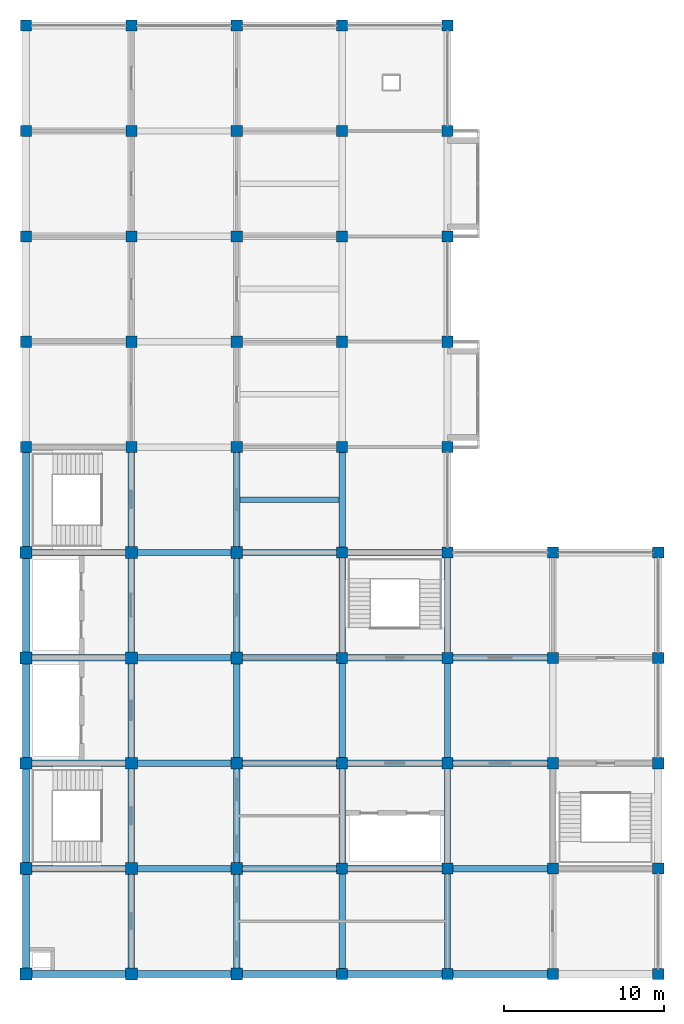
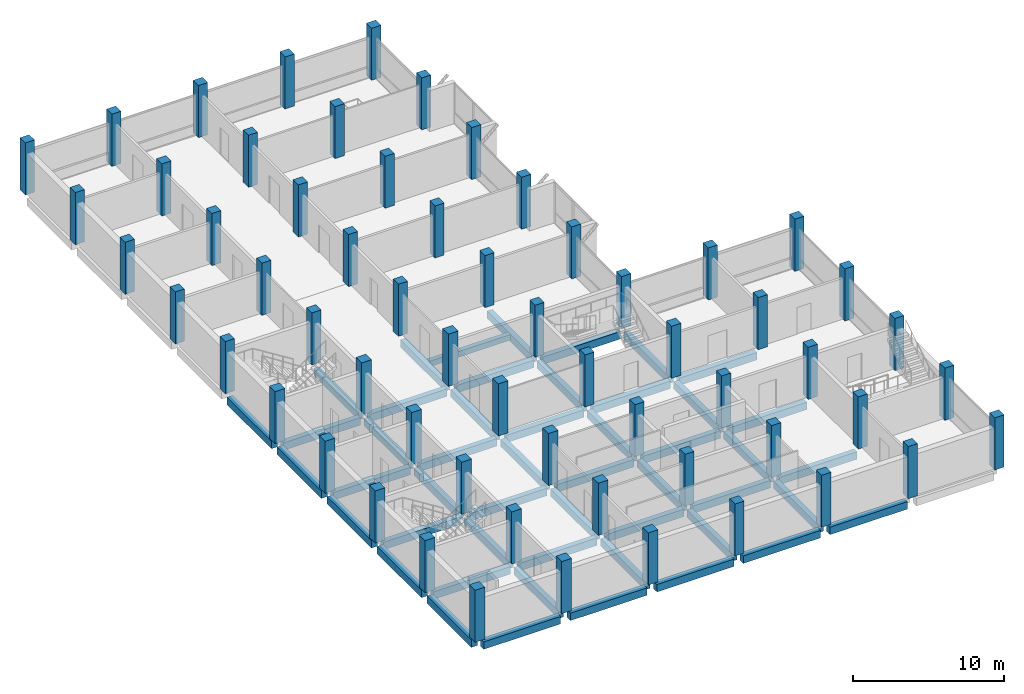
# One storey, part 1 of 10: 60 columns, 49 beams.
"""IFC4 building model written with IfcOpenShell, lengths in metres."""

from ifc_helpers import new_model, si_unit, direction, frame, origin, origin_2d, place, context, subcontext, project, spatial, rectangle, extrude, material, material_profile, profile_set, type_object, element, save


model = new_model("IFC4")

# Units and contexts
model_context = context("Model", 3, precision=1e-05, world=origin(), true_north=direction((0.0, 1.0)))
body_context = subcontext(model_context, "Body", "Model", "MODEL_VIEW")
ifc_project = project(units=[si_unit("LENGTHUNIT", "METRE"), si_unit("AREAUNIT", "SQUARE_METRE"), si_unit("VOLUMEUNIT", "CUBIC_METRE"), si_unit("PLANEANGLEUNIT", "RADIAN"), si_unit("MASSUNIT", "GRAM", prefix="KILO")], contexts=[model_context])

# Site, building, storey
site_placement = place(None, origin())
site = spatial("IfcSite", under=ifc_project, at=site_placement, CompositionType="ELEMENT")
building_placement = place(site_placement, origin())
building = spatial("IfcBuilding", under=site, at=building_placement, Name="Rusizi Kubbe Research Institute", CompositionType="ELEMENT")
storey_placement = place(building_placement, frame((0.0, 0.0, 48.0)))
storey = spatial("IfcBuildingStorey", under=building, at=storey_placement, Name="L11", CompositionType="ELEMENT", Elevation=48.0)

# Columns
ifc_material_1 = material(Name="Concrete C40/50", Category="concrete")
ifc_material_profile_1 = material_profile(ifc_material_1, rectangle(XDim=0.699951171875, YDim=0.699951171875, at=origin_2d()), Name="RC700x700")
ifc_profile_set_1 = profile_set([ifc_material_profile_1], Name="Concrete C40/50")
column_type_1 = type_object("IfcColumnType", Name="COL-700", PredefinedType="COLUMN", material=ifc_profile_set_1)
for number, where, z_axis, x_axis, name in (
    (1, (0.0, 33.0, 0.0), (0.0, 0.0, 1.0), (1.0, 0.0, 0.0), "Column 1F L11"),
    (2, (0.0, 39.60009765625, 0.0), (0.0, 0.0, 1.0), (1.0, 0.0, 0.0), "Column 1G L11"),
    (3, (0.0, 46.199951171875, 0.0), (0.0, 0.0, 1.0), (1.0, 0.0, 0.0), "Column 1H L11"),
    (4, (0.0, 52.800048828125, 0.0), (0.0, 0.0, 1.0), (1.0, 0.0, 0.0), "Column 1J L11"),
    (5, (0.0, 59.39990234375, 0.0), (0.0, 0.0, 1.0), (1.0, 0.0, 0.0), "Column 1K L11"),
    (6, (6.60009765625, 33.0, 0.0), (0.0, 0.0, 1.0), (1.0, 0.0, 0.0), "Column 2F L11"),
    (7, (6.60009765625, 39.60009765625, 0.0), (0.0, 0.0, 1.0), (1.0, 0.0, 0.0), "Column 2G L11"),
    (8, (6.60009765625, 46.199951171875, 0.0), (0.0, 0.0, 1.0), (1.0, 0.0, 0.0), "Column 2H L11"),
    (9, (6.60009765625, 52.800048828125, 0.0), (0.0, 0.0, 1.0), (1.0, 0.0, 0.0), "Column 2J L11"),
    (10, (6.60009765625, 59.39990234375, 0.0), (0.0, 0.0, 1.0), (1.0, 0.0, 0.0), "Column 2K L11"),
    (11, (13.199951171875, 33.0, 0.0), (0.0, 0.0, 1.0), (1.0, 0.0, 0.0), "Column 3F L11"),
    (12, (13.199951171875, 39.60009765625, 0.0), (0.0, 0.0, 1.0), (1.0, 0.0, 0.0), "Column 3G L11"),
    (13, (13.199951171875, 46.199951171875, 0.0), (0.0, 0.0, 1.0), (1.0, 0.0, 0.0), "Column 3H L11"),
    (14, (13.199951171875, 52.800048828125, 0.0), (0.0, 0.0, 1.0), (1.0, 0.0, 0.0), "Column 3J L11"),
    (15, (13.199951171875, 59.39990234375, 0.0), (0.0, 0.0, 1.0), (1.0, 0.0, 0.0), "Column 3K L11"),
    (16, (19.800048828125, 0.0, 0.0), (0.0, 0.0, 1.0), (1.0, 0.0, 0.0), "Column 4A L11"),
    (17, (19.800048828125, 6.60009765625, 0.0), (0.0, 0.0, 1.0), (1.0, 0.0, 0.0), "Column 4B L11"),
    (18, (19.800048828125, 13.199951171875, 0.0), (0.0, 0.0, 1.0), (1.0, 0.0, 0.0), "Column 4C L11"),
    (19, (19.800048828125, 19.800048828125, 0.0), (0.0, 0.0, 1.0), (1.0, 0.0, 0.0), "Column 4D L11"),
    (20, (19.800048828125, 26.39990234375, 0.0), (0.0, 0.0, 1.0), (1.0, 0.0, 0.0), "Column 4E L11"),
    (21, (19.800048828125, 33.0, 0.0), (0.0, 0.0, 1.0), (1.0, 0.0, 0.0), "Column 4F L11"),
    (22, (19.800048828125, 39.60009765625, 0.0), (0.0, 0.0, 1.0), (1.0, 0.0, 0.0), "Column 4G L11"),
    (23, (19.800048828125, 46.199951171875, 0.0), (0.0, 0.0, 1.0), (1.0, 0.0, 0.0), "Column 4H L11"),
    (24, (19.800048828125, 52.800048828125, 0.0), (0.0, 0.0, 1.0), (1.0, 0.0, 0.0), "Column 4J L11"),
    (25, (19.800048828125, 59.39990234375, 0.0), (0.0, 0.0, 1.0), (1.0, 0.0, 0.0), "Column 4K L11"),
    (26, (26.39990234375, 0.0, 0.0), (0.0, 0.0, 1.0), (1.0, 0.0, 0.0), "Column 5A L11"),
    (27, (26.39990234375, 6.60009765625, 0.0), (0.0, 0.0, 1.0), (1.0, 0.0, 0.0), "Column 5B L11"),
    (28, (26.39990234375, 13.199951171875, 0.0), (0.0, 0.0, 1.0), (1.0, 0.0, 0.0), "Column 5C L11"),
    (29, (26.39990234375, 19.800048828125, 0.0), (0.0, 0.0, 1.0), (1.0, 0.0, 0.0), "Column 5D L11"),
    (30, (26.39990234375, 26.39990234375, 0.0), (0.0, 0.0, 1.0), (1.0, 0.0, 0.0), "Column 5E L11"),
    (31, (26.39990234375, 33.0, 0.0), (0.0, 0.0, 1.0), (1.0, 0.0, 0.0), "Column 5F L11"),
    (32, (26.39990234375, 39.60009765625, 0.0), (0.0, 0.0, 1.0), (1.0, 0.0, 0.0), "Column 5G L11"),
    (33, (26.39990234375, 46.199951171875, 0.0), (0.0, 0.0, 1.0), (1.0, 0.0, 0.0), "Column 5H L11"),
    (34, (26.39990234375, 52.800048828125, 0.0), (0.0, 0.0, 1.0), (1.0, 0.0, 0.0), "Column 5J L11"),
    (35, (26.39990234375, 59.39990234375, 0.0), (0.0, 0.0, 1.0), (1.0, 0.0, 0.0), "Column 5K L11"),
    (36, (33.0, 0.0, 0.0), (0.0, 0.0, 1.0), (1.0, 0.0, 0.0), "Column 6A L11"),
    (37, (33.0, 6.60009765625, 0.0), (0.0, 0.0, 1.0), (1.0, 0.0, 0.0), "Column 6B L11"),
    (38, (33.0, 13.199951171875, 0.0), (0.0, 0.0, 1.0), (1.0, 0.0, 0.0), "Column 6C L11"),
    (39, (33.0, 19.800048828125, 0.0), (0.0, 0.0, 1.0), (1.0, 0.0, 0.0), "Column 6D L11"),
    (40, (33.0, 26.39990234375, 0.0), (0.0, 0.0, 1.0), (1.0, 0.0, 0.0), "Column 6E L11"),
    (41, (39.60009765625, 0.0, 0.0), (0.0, 0.0, 1.0), (1.0, 0.0, 0.0), "Column 7A L11"),
    (42, (39.60009765625, 6.60009765625, 0.0), (0.0, 0.0, 1.0), (1.0, 0.0, 0.0), "Column 7B L11"),
    (43, (39.60009765625, 13.199951171875, 0.0), (0.0, 0.0, 1.0), (1.0, 0.0, 0.0), "Column 7C L11"),
    (44, (39.60009765625, 19.800048828125, 0.0), (0.0, 0.0, 1.0), (1.0, 0.0, 0.0), "Column 7D L11"),
    (45, (39.60009765625, 26.39990234375, 0.0), (0.0, 0.0, 1.0), (1.0, 0.0, 0.0), "Column 7E L11"),
):
    element("IfcColumn", number, at=place(storey_placement, frame(where, z_axis=z_axis, x_axis=x_axis)), inside=storey, type_object=column_type_1, Name=name, PredefinedType="COLUMN", context=body_context, shape_type="SweptSolid", body=[
        extrude(rectangle(XDim=0.699951171875, YDim=0.699951171875, at=origin_2d()), origin(), (0.0, 0.0, 1.0), 4.199951171875),
    ])
ifc_material_2 = material(Name="Concrete C40/50", Category="concrete")
ifc_material_profile_2 = material_profile(ifc_material_2, rectangle(XDim=0.75, YDim=0.75, at=origin_2d()), Name="RC750x750")
ifc_profile_set_2 = profile_set([ifc_material_profile_2], Name="Concrete C40/50")
column_type_2 = type_object("IfcColumnType", Name="COL-750", PredefinedType="COLUMN", material=ifc_profile_set_2)
for number, where, z_axis, x_axis, name in (
    (46, (0.0, 0.0, 0.0), (0.0, 0.0, 1.0), (1.0, 0.0, 0.0), "Column 1A L11"),
    (47, (0.0, 6.60009765625, 0.0), (0.0, 0.0, 1.0), (1.0, 0.0, 0.0), "Column 1B L11"),
    (48, (0.0, 13.199951171875, 0.0), (0.0, 0.0, 1.0), (1.0, 0.0, 0.0), "Column 1C L11"),
    (49, (0.0, 19.800048828125, 0.0), (0.0, 0.0, 1.0), (1.0, 0.0, 0.0), "Column 1D L11"),
    (50, (0.0, 26.39990234375, 0.0), (0.0, 0.0, 1.0), (1.0, 0.0, 0.0), "Column 1E L11"),
    (51, (6.60009765625, 0.0, 0.0), (0.0, 0.0, 1.0), (1.0, 0.0, 0.0), "Column 2A L11"),
    (52, (6.60009765625, 6.60009765625, 0.0), (0.0, 0.0, 1.0), (1.0, 0.0, 0.0), "Column 2B L11"),
    (53, (6.60009765625, 13.199951171875, 0.0), (0.0, 0.0, 1.0), (1.0, 0.0, 0.0), "Column 2C L11"),
    (54, (6.60009765625, 19.800048828125, 0.0), (0.0, 0.0, 1.0), (1.0, 0.0, 0.0), "Column 2D L11"),
    (55, (6.60009765625, 26.39990234375, 0.0), (0.0, 0.0, 1.0), (1.0, 0.0, 0.0), "Column 2E L11"),
    (56, (13.199951171875, 0.0, 0.0), (0.0, 0.0, 1.0), (1.0, 0.0, 0.0), "Column 3A L11"),
    (57, (13.199951171875, 6.60009765625, 0.0), (0.0, 0.0, 1.0), (1.0, 0.0, 0.0), "Column 3B L11"),
    (58, (13.199951171875, 13.199951171875, 0.0), (0.0, 0.0, 1.0), (1.0, 0.0, 0.0), "Column 3C L11"),
    (59, (13.199951171875, 19.800048828125, 0.0), (0.0, 0.0, 1.0), (1.0, 0.0, 0.0), "Column 3D L11"),
    (60, (13.199951171875, 26.39990234375, 0.0), (0.0, 0.0, 1.0), (1.0, 0.0, 0.0), "Column 3E L11"),
):
    element("IfcColumn", number, at=place(storey_placement, frame(where, z_axis=z_axis, x_axis=x_axis)), inside=storey, type_object=column_type_2, Name=name, PredefinedType="COLUMN", context=body_context, shape_type="SweptSolid", body=[
        extrude(rectangle(XDim=0.75, YDim=0.75, at=origin_2d()), origin(), (0.0, 0.0, 1.0), 4.199951171875),
    ])

# Beams
ifc_material_3 = material(Name="Concrete C40/50", Category="concrete")
ifc_material_profile_3 = material_profile(ifc_material_3, rectangle(XDim=0.35009765625, YDim=0.449951171875, at=origin_2d()), Name="RC350x450")
ifc_profile_set_3 = profile_set([ifc_material_profile_3], Name="Concrete C40/50")
beam_type_1 = type_object("IfcBeamType", Name="BM-RC350x450", PredefinedType="JOIST", material=ifc_profile_set_3)
beam_1_placement = place(storey_placement, frame((13.39990234375, 29.699951171875, -0.534912109375), z_axis=(1.0, 0.0, 0.0), x_axis=(0.0, 1.0, 0.0)))
element("IfcBeam", 61, at=beam_1_placement, inside=storey, type_object=beam_type_1, Name="Lab Stiffener Joist L11 (2,4)", PredefinedType="JOIST", context=body_context, shape_type="SweptSolid", body=[
    extrude(rectangle(XDim=0.35009765625, YDim=0.449951171875, at=origin_2d()), origin(), (0.0, 0.0, 1.0), 6.2001953125),
])
ifc_material_4 = material(Name="Concrete C40/50", Category="concrete")
ifc_material_profile_4 = material_profile(ifc_material_4, rectangle(XDim=0.39990234375, YDim=0.60009765625, at=origin_2d()), Name="RC400x600")
ifc_profile_set_4 = profile_set([ifc_material_profile_4], Name="Concrete C40/50")
beam_type_2 = type_object("IfcBeamType", Name="BM-RC400x600", PredefinedType="BEAM", material=ifc_profile_set_4)
for number, where, z_axis, x_axis, name in (
    (62, (0.375, 6.60009765625, -0.610107421875), (1.0, 0.0, 0.0), (0.0, 1.0, 0.0), "Grid Beam H L11 (0,1)"),
    (63, (0.375, 13.199951171875, -0.610107421875), (1.0, 0.0, 0.0), (0.0, 1.0, 0.0), "Grid Beam H L11 (0,2)"),
    (64, (0.375, 19.800048828125, -0.610107421875), (1.0, 0.0, 0.0), (0.0, 1.0, 0.0), "Grid Beam H L11 (0,3)"),
    (65, (0.375, 26.39990234375, -0.610107421875), (1.0, 0.0, 0.0), (0.0, 1.0, 0.0), "Grid Beam H L11 (0,4)"),
):
    element("IfcBeam", number, at=place(storey_placement, frame(where, z_axis=z_axis, x_axis=x_axis)), inside=storey, type_object=beam_type_2, Name=name, PredefinedType="BEAM", context=body_context, shape_type="SweptSolid", body=[
        extrude(rectangle(XDim=0.39990234375, YDim=0.60009765625, at=origin_2d()), origin(), (0.0, 0.0, 1.0), 5.85009765625),
    ])
for number, where, z_axis, x_axis, name in (
    (66, (6.97509765625, 6.60009765625, -0.610107421875), (1.0, 0.0, 0.0), (0.0, 1.0, 0.0), "Grid Beam H L11 (1,1)"),
    (67, (6.97509765625, 13.199951171875, -0.610107421875), (1.0, 0.0, 0.0), (0.0, 1.0, 0.0), "Grid Beam H L11 (1,2)"),
    (68, (6.97509765625, 19.800048828125, -0.610107421875), (1.0, 0.0, 0.0), (0.0, 1.0, 0.0), "Grid Beam H L11 (1,3)"),
    (69, (6.97509765625, 26.39990234375, -0.610107421875), (1.0, 0.0, 0.0), (0.0, 1.0, 0.0), "Grid Beam H L11 (1,4)"),
):
    element("IfcBeam", number, at=place(storey_placement, frame(where, z_axis=z_axis, x_axis=x_axis)), inside=storey, type_object=beam_type_2, Name=name, PredefinedType="BEAM", context=body_context, shape_type="SweptSolid", body=[
        extrude(rectangle(XDim=0.39990234375, YDim=0.60009765625, at=origin_2d()), origin(), (0.0, 0.0, 1.0), 5.849853515625),
    ])
for number, where, z_axis, x_axis, name in (
    (70, (13.574951171875, 6.60009765625, -0.610107421875), (1.0, 0.0, 0.0), (0.0, 1.0, 0.0), "Grid Beam H L11 (2,1)"),
    (71, (13.574951171875, 13.199951171875, -0.610107421875), (1.0, 0.0, 0.0), (0.0, 1.0, 0.0), "Grid Beam H L11 (2,2)"),
    (72, (13.574951171875, 19.800048828125, -0.610107421875), (1.0, 0.0, 0.0), (0.0, 1.0, 0.0), "Grid Beam H L11 (2,3)"),
    (73, (13.574951171875, 26.39990234375, -0.610107421875), (1.0, 0.0, 0.0), (0.0, 1.0, 0.0), "Grid Beam H L11 (2,4)"),
):
    element("IfcBeam", number, at=place(storey_placement, frame(where, z_axis=z_axis, x_axis=x_axis)), inside=storey, type_object=beam_type_2, Name=name, PredefinedType="BEAM", context=body_context, shape_type="SweptSolid", body=[
        extrude(rectangle(XDim=0.39990234375, YDim=0.60009765625, at=origin_2d()), origin(), (0.0, 0.0, 1.0), 5.875),
    ])
for number, where, z_axis, x_axis, name in (
    (74, (20.14990234375, 6.60009765625, -0.610107421875), (1.0, 0.0, 0.0), (0.0, 1.0, 0.0), "Grid Beam H L11 (3,1)"),
    (75, (20.14990234375, 13.199951171875, -0.610107421875), (1.0, 0.0, 0.0), (0.0, 1.0, 0.0), "Grid Beam H L11 (3,2)"),
    (76, (20.14990234375, 19.800048828125, -0.610107421875), (1.0, 0.0, 0.0), (0.0, 1.0, 0.0), "Grid Beam H L11 (3,3)"),
    (77, (20.14990234375, 26.39990234375, -0.610107421875), (1.0, 0.0, 0.0), (0.0, 1.0, 0.0), "Grid Beam H L11 (3,4)"),
):
    element("IfcBeam", number, at=place(storey_placement, frame(where, z_axis=z_axis, x_axis=x_axis)), inside=storey, type_object=beam_type_2, Name=name, PredefinedType="BEAM", context=body_context, shape_type="SweptSolid", body=[
        extrude(rectangle(XDim=0.39990234375, YDim=0.60009765625, at=origin_2d()), origin(), (0.0, 0.0, 1.0), 5.900146484375),
    ])
for number, where, z_axis, x_axis, name in (
    (78, (26.75, 6.60009765625, -0.610107421875), (1.0, 0.0, 0.0), (0.0, 1.0, 0.0), "Grid Beam H L11 (4,1)"),
    (79, (26.75, 13.199951171875, -0.610107421875), (1.0, 0.0, 0.0), (0.0, 1.0, 0.0), "Grid Beam H L11 (4,2)"),
    (80, (26.75, 19.800048828125, -0.610107421875), (1.0, 0.0, 0.0), (0.0, 1.0, 0.0), "Grid Beam H L11 (4,3)"),
):
    element("IfcBeam", number, at=place(storey_placement, frame(where, z_axis=z_axis, x_axis=x_axis)), inside=storey, type_object=beam_type_2, Name=name, PredefinedType="BEAM", context=body_context, shape_type="SweptSolid", body=[
        extrude(rectangle(XDim=0.39990234375, YDim=0.60009765625, at=origin_2d()), origin(), (0.0, 0.0, 1.0), 5.89990234375),
    ])
beam_2_placement = place(storey_placement, frame((6.60009765625, 0.375, -0.610107421875), z_axis=(0.0, 1.0, 0.0), x_axis=(-1.0, 0.0, 0.0)))
element("IfcBeam", 81, at=beam_2_placement, inside=storey, type_object=beam_type_2, Name="Grid Beam V L11 (1,0)", PredefinedType="BEAM", context=body_context, shape_type="SweptSolid", body=[
    extrude(rectangle(XDim=0.39990234375, YDim=0.60009765625, at=origin_2d()), origin(), (0.0, 0.0, 1.0), 5.85009765625),
])
beam_3_placement = place(storey_placement, frame((6.60009765625, 6.97509765625, -0.610107421875), z_axis=(0.0, 1.0, 0.0), x_axis=(-1.0, 0.0, 0.0)))
element("IfcBeam", 82, at=beam_3_placement, inside=storey, type_object=beam_type_2, Name="Grid Beam V L11 (1,1)", PredefinedType="BEAM", context=body_context, shape_type="SweptSolid", body=[
    extrude(rectangle(XDim=0.39990234375, YDim=0.60009765625, at=origin_2d()), origin(), (0.0, 0.0, 1.0), 5.849853515625),
])
beam_4_placement = place(storey_placement, frame((6.60009765625, 13.574951171875, -0.610107421875), z_axis=(0.0, 1.0, 0.0), x_axis=(-1.0, 0.0, 0.0)))
element("IfcBeam", 83, at=beam_4_placement, inside=storey, type_object=beam_type_2, Name="Grid Beam V L11 (1,2)", PredefinedType="BEAM", context=body_context, shape_type="SweptSolid", body=[
    extrude(rectangle(XDim=0.39990234375, YDim=0.60009765625, at=origin_2d()), origin(), (0.0, 0.0, 1.0), 5.85009765625),
])
beam_5_placement = place(storey_placement, frame((6.60009765625, 20.175048828125, -0.610107421875), z_axis=(0.0, 1.0, 0.0), x_axis=(-1.0, 0.0, 0.0)))
element("IfcBeam", 84, at=beam_5_placement, inside=storey, type_object=beam_type_2, Name="Grid Beam V L11 (1,3)", PredefinedType="BEAM", context=body_context, shape_type="SweptSolid", body=[
    extrude(rectangle(XDim=0.39990234375, YDim=0.60009765625, at=origin_2d()), origin(), (0.0, 0.0, 1.0), 5.849853515625),
])
beam_6_placement = place(storey_placement, frame((6.60009765625, 26.77490234375, -0.610107421875), z_axis=(0.0, 1.0, 0.0), x_axis=(-1.0, 0.0, 0.0)))
element("IfcBeam", 85, at=beam_6_placement, inside=storey, type_object=beam_type_2, Name="Grid Beam V L11 (1,4)", PredefinedType="BEAM", context=body_context, shape_type="SweptSolid", body=[
    extrude(rectangle(XDim=0.39990234375, YDim=0.60009765625, at=origin_2d()), origin(), (0.0, 0.0, 1.0), 5.875),
])
beam_7_placement = place(storey_placement, frame((13.199951171875, 0.375, -0.610107421875), z_axis=(0.0, 1.0, 0.0), x_axis=(-1.0, 0.0, 0.0)))
element("IfcBeam", 86, at=beam_7_placement, inside=storey, type_object=beam_type_2, Name="Grid Beam V L11 (2,0)", PredefinedType="BEAM", context=body_context, shape_type="SweptSolid", body=[
    extrude(rectangle(XDim=0.39990234375, YDim=0.60009765625, at=origin_2d()), origin(), (0.0, 0.0, 1.0), 5.85009765625),
])
beam_8_placement = place(storey_placement, frame((13.199951171875, 6.97509765625, -0.610107421875), z_axis=(0.0, 1.0, 0.0), x_axis=(-1.0, 0.0, 0.0)))
element("IfcBeam", 87, at=beam_8_placement, inside=storey, type_object=beam_type_2, Name="Grid Beam V L11 (2,1)", PredefinedType="BEAM", context=body_context, shape_type="SweptSolid", body=[
    extrude(rectangle(XDim=0.39990234375, YDim=0.60009765625, at=origin_2d()), origin(), (0.0, 0.0, 1.0), 5.849853515625),
])
beam_9_placement = place(storey_placement, frame((13.199951171875, 13.574951171875, -0.610107421875), z_axis=(0.0, 1.0, 0.0), x_axis=(-1.0, 0.0, 0.0)))
element("IfcBeam", 88, at=beam_9_placement, inside=storey, type_object=beam_type_2, Name="Grid Beam V L11 (2,2)", PredefinedType="BEAM", context=body_context, shape_type="SweptSolid", body=[
    extrude(rectangle(XDim=0.39990234375, YDim=0.60009765625, at=origin_2d()), origin(), (0.0, 0.0, 1.0), 5.85009765625),
])
beam_10_placement = place(storey_placement, frame((13.199951171875, 20.175048828125, -0.610107421875), z_axis=(0.0, 1.0, 0.0), x_axis=(-1.0, 0.0, 0.0)))
element("IfcBeam", 89, at=beam_10_placement, inside=storey, type_object=beam_type_2, Name="Grid Beam V L11 (2,3)", PredefinedType="BEAM", context=body_context, shape_type="SweptSolid", body=[
    extrude(rectangle(XDim=0.39990234375, YDim=0.60009765625, at=origin_2d()), origin(), (0.0, 0.0, 1.0), 5.849853515625),
])
beam_11_placement = place(storey_placement, frame((13.199951171875, 26.77490234375, -0.610107421875), z_axis=(0.0, 1.0, 0.0), x_axis=(-1.0, 0.0, 0.0)))
element("IfcBeam", 90, at=beam_11_placement, inside=storey, type_object=beam_type_2, Name="Grid Beam V L11 (2,4)", PredefinedType="BEAM", context=body_context, shape_type="SweptSolid", body=[
    extrude(rectangle(XDim=0.39990234375, YDim=0.60009765625, at=origin_2d()), origin(), (0.0, 0.0, 1.0), 5.875),
])
beam_12_placement = place(storey_placement, frame((19.800048828125, 0.35009765625, -0.610107421875), z_axis=(0.0, 1.0, 0.0), x_axis=(-1.0, 0.0, 0.0)))
element("IfcBeam", 91, at=beam_12_placement, inside=storey, type_object=beam_type_2, Name="Grid Beam V L11 (3,0)", PredefinedType="BEAM", context=body_context, shape_type="SweptSolid", body=[
    extrude(rectangle(XDim=0.39990234375, YDim=0.60009765625, at=origin_2d()), origin(), (0.0, 0.0, 1.0), 5.89990234375),
])
beam_13_placement = place(storey_placement, frame((19.800048828125, 6.949951171875, -0.610107421875), z_axis=(0.0, 1.0, 0.0), x_axis=(-1.0, 0.0, 0.0)))
element("IfcBeam", 92, at=beam_13_placement, inside=storey, type_object=beam_type_2, Name="Grid Beam V L11 (3,1)", PredefinedType="BEAM", context=body_context, shape_type="SweptSolid", body=[
    extrude(rectangle(XDim=0.39990234375, YDim=0.60009765625, at=origin_2d()), origin(), (0.0, 0.0, 1.0), 5.900146484375),
])
beam_14_placement = place(storey_placement, frame((19.800048828125, 13.550048828125, -0.610107421875), z_axis=(0.0, 1.0, 0.0), x_axis=(-1.0, 0.0, 0.0)))
element("IfcBeam", 93, at=beam_14_placement, inside=storey, type_object=beam_type_2, Name="Grid Beam V L11 (3,2)", PredefinedType="BEAM", context=body_context, shape_type="SweptSolid", body=[
    extrude(rectangle(XDim=0.39990234375, YDim=0.60009765625, at=origin_2d()), origin(), (0.0, 0.0, 1.0), 5.89990234375),
])
beam_15_placement = place(storey_placement, frame((19.800048828125, 20.14990234375, -0.610107421875), z_axis=(0.0, 1.0, 0.0), x_axis=(-1.0, 0.0, 0.0)))
element("IfcBeam", 94, at=beam_15_placement, inside=storey, type_object=beam_type_2, Name="Grid Beam V L11 (3,3)", PredefinedType="BEAM", context=body_context, shape_type="SweptSolid", body=[
    extrude(rectangle(XDim=0.39990234375, YDim=0.60009765625, at=origin_2d()), origin(), (0.0, 0.0, 1.0), 5.900146484375),
])
for number, where, z_axis, x_axis, name in (
    (95, (19.800048828125, 26.75, -0.610107421875), (0.0, 1.0, 0.0), (-1.0, 0.0, 0.0), "Grid Beam V L11 (3,4)"),
    (96, (26.39990234375, 0.35009765625, -0.610107421875), (0.0, 1.0, 0.0), (-1.0, 0.0, 0.0), "Grid Beam V L11 (4,0)"),
):
    element("IfcBeam", number, at=place(storey_placement, frame(where, z_axis=z_axis, x_axis=x_axis)), inside=storey, type_object=beam_type_2, Name=name, PredefinedType="BEAM", context=body_context, shape_type="SweptSolid", body=[
        extrude(rectangle(XDim=0.39990234375, YDim=0.60009765625, at=origin_2d()), origin(), (0.0, 0.0, 1.0), 5.89990234375),
    ])
beam_16_placement = place(storey_placement, frame((26.39990234375, 6.949951171875, -0.610107421875), z_axis=(0.0, 1.0, 0.0), x_axis=(-1.0, 0.0, 0.0)))
element("IfcBeam", 97, at=beam_16_placement, inside=storey, type_object=beam_type_2, Name="Grid Beam V L11 (4,1)", PredefinedType="BEAM", context=body_context, shape_type="SweptSolid", body=[
    extrude(rectangle(XDim=0.39990234375, YDim=0.60009765625, at=origin_2d()), origin(), (0.0, 0.0, 1.0), 5.900146484375),
])
beam_17_placement = place(storey_placement, frame((26.39990234375, 13.550048828125, -0.610107421875), z_axis=(0.0, 1.0, 0.0), x_axis=(-1.0, 0.0, 0.0)))
element("IfcBeam", 98, at=beam_17_placement, inside=storey, type_object=beam_type_2, Name="Grid Beam V L11 (4,2)", PredefinedType="BEAM", context=body_context, shape_type="SweptSolid", body=[
    extrude(rectangle(XDim=0.39990234375, YDim=0.60009765625, at=origin_2d()), origin(), (0.0, 0.0, 1.0), 5.89990234375),
])
beam_18_placement = place(storey_placement, frame((26.39990234375, 20.14990234375, -0.610107421875), z_axis=(0.0, 1.0, 0.0), x_axis=(-1.0, 0.0, 0.0)))
element("IfcBeam", 99, at=beam_18_placement, inside=storey, type_object=beam_type_2, Name="Grid Beam V L11 (4,3)", PredefinedType="BEAM", context=body_context, shape_type="SweptSolid", body=[
    extrude(rectangle(XDim=0.39990234375, YDim=0.60009765625, at=origin_2d()), origin(), (0.0, 0.0, 1.0), 5.900146484375),
])
ifc_material_5 = material(Name="Concrete C40/50", Category="concrete")
ifc_material_profile_5 = material_profile(ifc_material_5, rectangle(XDim=0.449951171875, YDim=0.60009765625, at=origin_2d()), Name="RC450x600")
ifc_profile_set_5 = profile_set([ifc_material_profile_5], Name="Concrete C40/50")
beam_type_3 = type_object("IfcBeamType", Name="BM-RC450x600", PredefinedType="SPANDREL", material=ifc_profile_set_5)
beam_19_placement = place(storey_placement, frame((0.375, 0.0, -0.610107421875), z_axis=(1.0, 0.0, 0.0), x_axis=(0.0, 1.0, 0.0)))
element("IfcBeam", 100, at=beam_19_placement, inside=storey, type_object=beam_type_3, Name="Grid Beam H L11 (0,0)", PredefinedType="SPANDREL", context=body_context, shape_type="SweptSolid", body=[
    extrude(rectangle(XDim=0.449951171875, YDim=0.60009765625, at=origin_2d()), origin(), (0.0, 0.0, 1.0), 5.85009765625),
])
beam_20_placement = place(storey_placement, frame((6.97509765625, 0.0, -0.610107421875), z_axis=(1.0, 0.0, 0.0), x_axis=(0.0, 1.0, 0.0)))
element("IfcBeam", 101, at=beam_20_placement, inside=storey, type_object=beam_type_3, Name="Grid Beam H L11 (1,0)", PredefinedType="SPANDREL", context=body_context, shape_type="SweptSolid", body=[
    extrude(rectangle(XDim=0.449951171875, YDim=0.60009765625, at=origin_2d()), origin(), (0.0, 0.0, 1.0), 5.849853515625),
])
beam_21_placement = place(storey_placement, frame((13.574951171875, 0.0, -0.610107421875), z_axis=(1.0, 0.0, 0.0), x_axis=(0.0, 1.0, 0.0)))
element("IfcBeam", 102, at=beam_21_placement, inside=storey, type_object=beam_type_3, Name="Grid Beam H L11 (2,0)", PredefinedType="SPANDREL", context=body_context, shape_type="SweptSolid", body=[
    extrude(rectangle(XDim=0.449951171875, YDim=0.60009765625, at=origin_2d()), origin(), (0.0, 0.0, 1.0), 5.875),
])
beam_22_placement = place(storey_placement, frame((20.14990234375, 0.0, -0.610107421875), z_axis=(1.0, 0.0, 0.0), x_axis=(0.0, 1.0, 0.0)))
element("IfcBeam", 103, at=beam_22_placement, inside=storey, type_object=beam_type_3, Name="Grid Beam H L11 (3,0)", PredefinedType="SPANDREL", context=body_context, shape_type="SweptSolid", body=[
    extrude(rectangle(XDim=0.449951171875, YDim=0.60009765625, at=origin_2d()), origin(), (0.0, 0.0, 1.0), 5.900146484375),
])
beam_23_placement = place(storey_placement, frame((26.75, 0.0, -0.610107421875), z_axis=(1.0, 0.0, 0.0), x_axis=(0.0, 1.0, 0.0)))
element("IfcBeam", 104, at=beam_23_placement, inside=storey, type_object=beam_type_3, Name="Grid Beam H L11 (4,0)", PredefinedType="SPANDREL", context=body_context, shape_type="SweptSolid", body=[
    extrude(rectangle(XDim=0.449951171875, YDim=0.60009765625, at=origin_2d()), origin(), (0.0, 0.0, 1.0), 5.89990234375),
])
beam_24_placement = place(storey_placement, frame((0.0, 0.375, -0.610107421875), z_axis=(0.0, 1.0, 0.0), x_axis=(-1.0, 0.0, 0.0)))
element("IfcBeam", 105, at=beam_24_placement, inside=storey, type_object=beam_type_3, Name="Grid Beam V L11 (0,0)", PredefinedType="SPANDREL", context=body_context, shape_type="SweptSolid", body=[
    extrude(rectangle(XDim=0.449951171875, YDim=0.60009765625, at=origin_2d()), origin(), (0.0, 0.0, 1.0), 5.85009765625),
])
beam_25_placement = place(storey_placement, frame((0.0, 6.97509765625, -0.610107421875), z_axis=(0.0, 1.0, 0.0), x_axis=(-1.0, 0.0, 0.0)))
element("IfcBeam", 106, at=beam_25_placement, inside=storey, type_object=beam_type_3, Name="Grid Beam V L11 (0,1)", PredefinedType="SPANDREL", context=body_context, shape_type="SweptSolid", body=[
    extrude(rectangle(XDim=0.449951171875, YDim=0.60009765625, at=origin_2d()), origin(), (0.0, 0.0, 1.0), 5.849853515625),
])
beam_26_placement = place(storey_placement, frame((0.0, 13.574951171875, -0.610107421875), z_axis=(0.0, 1.0, 0.0), x_axis=(-1.0, 0.0, 0.0)))
element("IfcBeam", 107, at=beam_26_placement, inside=storey, type_object=beam_type_3, Name="Grid Beam V L11 (0,2)", PredefinedType="SPANDREL", context=body_context, shape_type="SweptSolid", body=[
    extrude(rectangle(XDim=0.449951171875, YDim=0.60009765625, at=origin_2d()), origin(), (0.0, 0.0, 1.0), 5.85009765625),
])
beam_27_placement = place(storey_placement, frame((0.0, 20.175048828125, -0.610107421875), z_axis=(0.0, 1.0, 0.0), x_axis=(-1.0, 0.0, 0.0)))
element("IfcBeam", 108, at=beam_27_placement, inside=storey, type_object=beam_type_3, Name="Grid Beam V L11 (0,3)", PredefinedType="SPANDREL", context=body_context, shape_type="SweptSolid", body=[
    extrude(rectangle(XDim=0.449951171875, YDim=0.60009765625, at=origin_2d()), origin(), (0.0, 0.0, 1.0), 5.849853515625),
])
beam_28_placement = place(storey_placement, frame((0.0, 26.77490234375, -0.610107421875), z_axis=(0.0, 1.0, 0.0), x_axis=(-1.0, 0.0, 0.0)))
element("IfcBeam", 109, at=beam_28_placement, inside=storey, type_object=beam_type_3, Name="Grid Beam V L11 (0,4)", PredefinedType="SPANDREL", context=body_context, shape_type="SweptSolid", body=[
    extrude(rectangle(XDim=0.449951171875, YDim=0.60009765625, at=origin_2d()), origin(), (0.0, 0.0, 1.0), 5.875),
])

save(model, "model.ifc")
